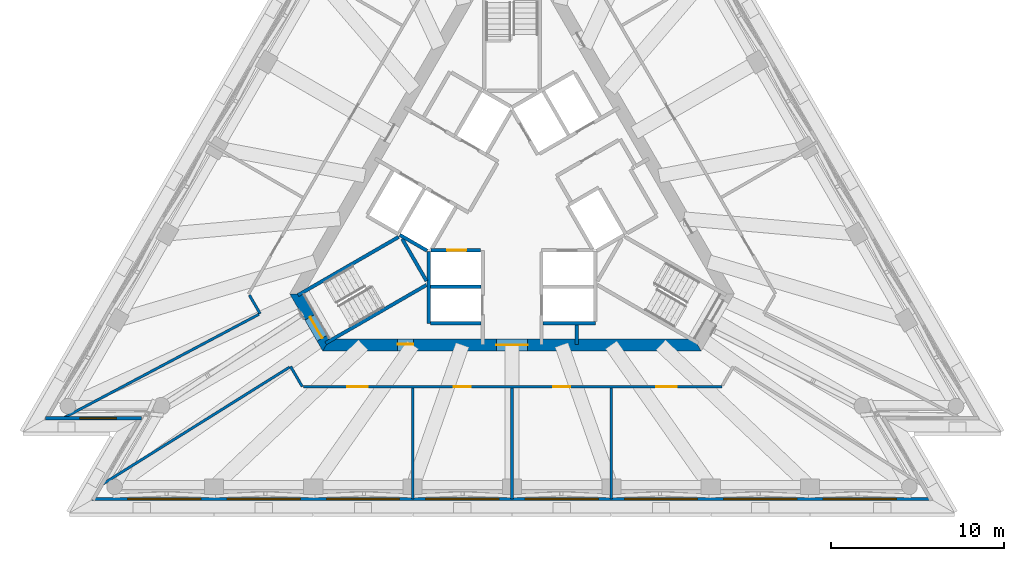
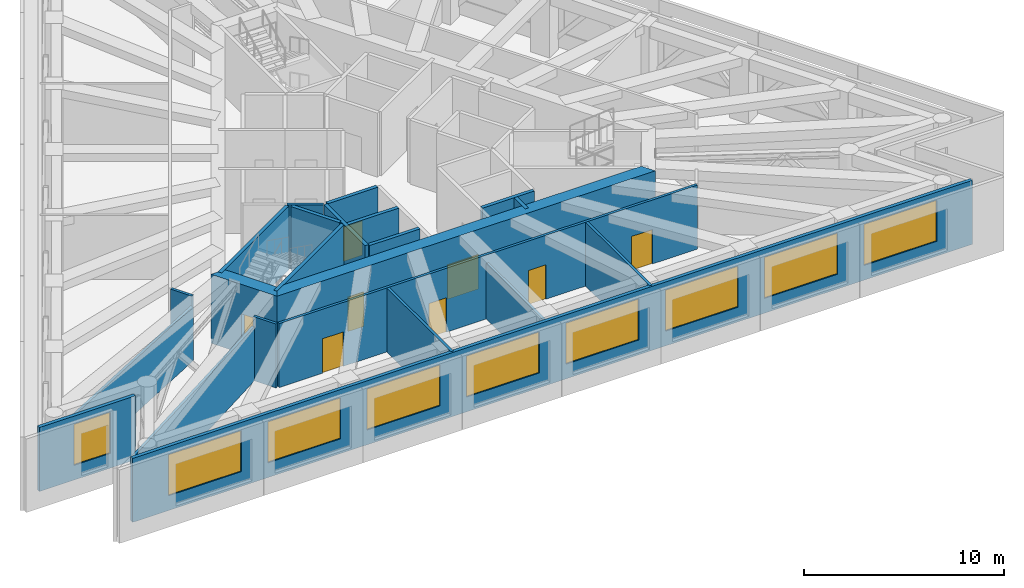
# One storey, part 6 of 12: 22 walls, 9 windows, 8 doors, 17 openings.
"""IFC4 building model written with IfcOpenShell, lengths in metres."""

from ifc_helpers import new_model, si_unit, direction, frame, frame_2d, origin, place, context, subcontext, project, spatial, polyline, rectangle, outline, extrude, material, layer, layer_set, layer_usage, type_object, element, fill, save


model = new_model("IFC4")

# Units and contexts
model_context = context("Model", 3, precision=1e-05, world=origin(), true_north=direction((0.0, 1.0)))
body_context = subcontext(model_context, "Body", "Model", "MODEL_VIEW")
ifc_project = project(units=[si_unit("LENGTHUNIT", "METRE"), si_unit("AREAUNIT", "SQUARE_METRE"), si_unit("VOLUMEUNIT", "CUBIC_METRE"), si_unit("PLANEANGLEUNIT", "RADIAN"), si_unit("MASSUNIT", "GRAM", prefix="KILO")], contexts=[model_context])

# Site, building, storey
site_placement = place(None, origin())
site = spatial("IfcSite", under=ifc_project, at=site_placement, CompositionType="ELEMENT")
building_placement = place(site_placement, origin())
building = spatial("IfcBuilding", under=site, at=building_placement, Name="Triada Interchange Tower", CompositionType="ELEMENT")
storey_placement = place(building_placement, frame((0.0, 0.0, 251.300048828125)))
storey = spatial("IfcBuildingStorey", under=building, at=storey_placement, Name="L59", CompositionType="ELEMENT", Elevation=251.300048828125)

# Walls
ifc_material_1 = material(Name="Concrete C30/37", Category="concrete")
ifc_layer_1 = layer(ifc_material_1, 0.199951171875)
ifc_layer_set_1 = layer_set([ifc_layer_1], Name="CORE WALL 200 EI 120")
wall_type_1 = type_object("IfcWallType", Name="CORE WALL 200 EI 120", PredefinedType="SOLIDWALL", material=ifc_layer_set_1)
wall_1_placement = place(storey_placement, frame((-4.699951171875, -4.800048828125, 0.0), z_axis=(0.0, 0.0, 1.0), x_axis=(1.0, 0.0, 0.0)))
element("IfcWall", 1, at=wall_1_placement, inside=storey, type_object=wall_type_1, Name="Wall L59 25", PredefinedType="SOLIDWALL", context=body_context, shape_type="SweptSolid", body=[
    extrude(rectangle(XDim=2.89990234375, YDim=0.199951171875, at=frame_2d((1.449951171875, 0.0))), origin(), (0.0, 0.0, 1.0), 3.89990234375),
])
wall_2_placement = place(storey_placement, frame((-4.800048828125, -6.89990234375, 0.0), z_axis=(0.0, 0.0, 1.0), x_axis=(0.0, 1.0, 0.0)))
element("IfcWall", 2, at=wall_2_placement, inside=storey, type_object=wall_type_1, Name="Wall L59 27", PredefinedType="SOLIDWALL", context=body_context, shape_type="SweptSolid", body=[
    extrude(rectangle(XDim=4.130859375, YDim=0.199951171875, at=frame_2d((2.0654296875, 0.0))), origin(), (0.0, 0.0, 1.0), 3.89990234375),
])
wall_3_placement = place(storey_placement, frame((-4.699951171875, -6.89990234375, 0.0), z_axis=(0.0, 0.0, 1.0), x_axis=(1.0, 0.0, 0.0)))
element("IfcWall", 3, at=wall_3_placement, inside=storey, type_object=wall_type_1, Name="Wall L59 28", PredefinedType="SOLIDWALL", context=body_context, shape_type="SweptSolid", body=[
    extrude(rectangle(XDim=2.89990234375, YDim=0.199951171875, at=frame_2d((1.449951171875, 0.0))), origin(), (0.0, 0.0, 1.0), 3.89990234375),
])
wall_4_placement = place(storey_placement, frame((1.800048828125, -6.89990234375, 0.0), z_axis=(0.0, 0.0, 1.0), x_axis=(1.0, 0.0, 0.0)))
element("IfcWall", 4, at=wall_4_placement, inside=storey, type_object=wall_type_1, Name="Wall L59 29", PredefinedType="SOLIDWALL", context=body_context, shape_type="SweptSolid", body=[
    extrude(rectangle(XDim=3.0, YDim=0.199951171875, at=frame_2d((1.5, 0.0))), origin(), (0.0, 0.0, 1.0), 3.89990234375),
])

# Wall, opening, door
wall_5_placement = place(storey_placement, frame((-4.676025390625, -2.699951171875, 0.0), z_axis=(0.0, 0.0, 1.0), x_axis=(1.0, 0.0, 0.0)))
wall_5 = element("IfcWall", 5, at=wall_5_placement, inside=storey, type_object=wall_type_1, Name="Wall L59 31", PredefinedType="SOLIDWALL", context=body_context, shape_type="SweptSolid", body=[
    extrude(rectangle(XDim=2.873046875, YDim=0.199951171875, at=frame_2d((1.4365234375, 0.0))), origin(), (0.0, 0.0, 1.0), 3.89990234375),
])
opening_1_placement = place(wall_5_placement, frame((0.93701171875, 0.0, 0.0)))
opening_1 = element("IfcOpeningElement", 6, at=opening_1_placement, cuts=wall_5, Name="Opening LD-HR3", PredefinedType="OPENING", context=body_context, shape_type="SweptSolid", body=[
    extrude(rectangle(XDim=1.10009765625, YDim=2.10009765625, at=frame_2d((0.550048828125, 1.050048828125))), frame((0.0, 0.10986328125, 0.0), z_axis=(0.0, -1.0, 0.0), x_axis=(1.0, 0.0, 0.0)), (0.0, 0.0, 1.0), 0.219970703125),
])
ifc_material_2 = material(Name="Steel S235 door leaf", Category="steel")
door_type_1 = type_object("IfcDoorType", Name="LIFT LANDING DOOR 1100 EI 120", OperationType="SLIDING_TO_LEFT", PredefinedType="DOOR", material=ifc_material_2)
door_1_placement = place(opening_1_placement, origin())
door_1 = element("IfcDoor", 7, at=door_1_placement, inside=storey, type_object=door_type_1, Name="HR3 landing door L59", OperationType="SLIDING_TO_LEFT", OverallHeight=2.10009765625, OverallWidth=1.10009765625, PredefinedType="DOOR", context=body_context, shape_type="SweptSolid", body=[
    extrude(rectangle(XDim=1.10009765625, YDim=2.10009765625, at=frame_2d((0.550048828125, 1.050048828125))), frame((0.0, 0.02490234375, 0.0), z_axis=(0.0, -1.0, 0.0), x_axis=(1.0, 0.0, 0.0)), (0.0, 0.0, 1.0), 0.050048828125),
])
fill(opening_1, door_1)

# Walls
ifc_layer_2 = layer(ifc_material_1, 0.199951171875)
ifc_layer_set_2 = layer_set([ifc_layer_2], Name="CORE WALL 200 EI 180")
wall_type_2 = type_object("IfcWallType", Name="CORE WALL 200 EI 180", PredefinedType="SOLIDWALL", material=ifc_layer_set_2)
wall_6_placement = place(storey_placement, frame((-6.469970703125, -1.806884765625, 0.0), z_axis=(0.0, 0.0, 1.0), x_axis=(0.865883195159, -0.500246231712, 0.0)))
element("IfcWall", 8, at=wall_6_placement, inside=storey, type_object=wall_type_2, Name="Shaft wall FF1 L59 56", PredefinedType="SOLIDWALL", context=body_context, shape_type="SweptSolid", body=[
    extrude(rectangle(XDim=1.8154296875, YDim=0.199951171875, at=frame_2d((0.90771484375, 0.0))), origin(), (0.0, 0.0, 1.0), 3.89990234375),
])
ifc_layer_3 = layer(ifc_material_1, 0.199951171875)
ifc_layer_set_3 = layer_set([ifc_layer_3], Name="CORE WALL 200 EI 90")
wall_type_3 = type_object("IfcWallType", Name="CORE WALL 200 EI 90", PredefinedType="SOLIDWALL", material=ifc_layer_set_3)
wall_7_placement = place(storey_placement, frame((3.72412109375, -8.1298828125, 0.0), z_axis=(0.0, 0.0, 1.0), x_axis=(0.0, 1.0, 0.0)))
element("IfcWall", 9, at=wall_7_placement, inside=storey, type_object=wall_type_3, Name="Wall L59 63", PredefinedType="SOLIDWALL", context=body_context, shape_type="SweptSolid", body=[
    extrude(rectangle(XDim=1.1298828125, YDim=0.199951171875, at=frame_2d((0.56494140625, 0.0))), origin(), (0.0, 0.0, 1.0), 3.89990234375),
])
ifc_layer_4 = layer(ifc_material_1, 0.199951171875)
ifc_layer_set_4 = layer_set([ifc_layer_4], Name="CORE WALL 200 REI 240")
wall_type_4 = type_object("IfcWallType", Name="CORE WALL 200 REI 240", PredefinedType="SOLIDWALL", material=ifc_layer_set_4)
wall_8_placement = place(storey_placement, frame((-12.343994140625, -5.279052734375, 0.0), z_axis=(0.0, 0.0, 1.0), x_axis=(0.866046323291, 0.499963764601, 0.0)))
element("IfcWall", 10, at=wall_8_placement, inside=storey, type_object=wall_type_4, Name="Wall L59 67", PredefinedType="SOLIDWALL", context=body_context, shape_type="SweptSolid", body=[
    extrude(rectangle(XDim=6.71435546875, YDim=0.199951171875, at=frame_2d((3.357177734375, 0.0))), origin(), (0.0, 0.0, 1.0), 3.89990234375),
])
wall_9_placement = place(storey_placement, frame((-6.3291015625, -2.0380859375, 0.0), z_axis=(0.0, 0.0, 1.0), x_axis=(0.500200581029, -0.865909567298, 0.0)))
element("IfcWall", 11, at=wall_9_placement, inside=storey, type_object=wall_type_4, Name="Wall L59 68", PredefinedType="SOLIDWALL", context=body_context, shape_type="SweptSolid", body=[
    extrude(rectangle(XDim=2.799072265625, YDim=0.199951171875, at=frame_2d((1.3994140625, 0.0))), origin(), (0.0, 0.0, 1.0), 3.89990234375),
])
wall_10_placement = place(storey_placement, frame((-10.743896484375, -8.051025390625, 0.0), z_axis=(0.0, 0.0, 1.0), x_axis=(0.865983344943, 0.500072840975, 0.0)))
element("IfcWall", 12, at=wall_10_placement, inside=storey, type_object=wall_type_4, Name="Wall L59 69", PredefinedType="SOLIDWALL", context=body_context, shape_type="SweptSolid", body=[
    extrude(rectangle(XDim=6.71484375, YDim=0.199951171875, at=frame_2d((3.357421875, 0.0))), origin(), (0.0, 0.0, 1.0), 3.89990234375),
])

# Wall, opening, door
ifc_material_3 = material(Name="Concrete C50/60", Category="concrete")
ifc_layer_5 = layer(ifc_material_3, 0.699951171875)
ifc_layer_set_5 = layer_set([ifc_layer_5], Name="Core wall C 700")
wall_type_5 = type_object("IfcWallType", Name="Core wall C 700", PredefinedType="SHEAR", material=ifc_layer_set_5)
wall_11_placement = place(storey_placement, frame((-12.4130859375, -5.199951171875, -0.300048828125), z_axis=(0.0, 0.0, 1.0), x_axis=(0.49999337185, -0.866029230515, 0.0)))
wall_11 = element("IfcWall", 13, at=wall_11_placement, inside=storey, type_object=wall_type_5, Name="Core wall WC03 L59", PredefinedType="SHEAR", context=body_context, shape_type="SweptSolid", body=[
    extrude(outline(polyline([(-0.201904296875, -0.35009765625), (1.703125, -0.35009765625), (3.60791015625, -0.35009765625), (3.2041015625, 0.35009765625), (1.703125, 0.35009765625), (0.201904296875, 0.35009765625), (-0.201904296875, -0.35009765625)])), origin(), (0.0, 0.0, 1.0), 4.199951171875),
])
opening_2_placement = place(wall_11_placement, frame((1.552978515625, 0.0, 0.300048828125)))
opening_2 = element("IfcOpeningElement", 14, at=opening_2_placement, cuts=wall_11, Name="Opening D59-23", PredefinedType="OPENING", context=body_context, shape_type="SweptSolid", body=[
    extrude(rectangle(XDim=1.39990234375, YDim=2.10009765625, at=frame_2d((0.699951171875, 1.050048828125))), frame((0.0, 0.360107421875, 0.0), z_axis=(0.0, -1.0, 0.0), x_axis=(1.0, 0.0, 0.0)), (0.0, 0.0, 1.0), 0.72021484375),
])
door_type_2 = type_object("IfcDoorType", Name="STAIR DOOR 1400 EI2 90-C5S200", OperationType="DOUBLE_DOOR_SINGLE_SWING", PredefinedType="DOOR", material=ifc_material_2)
door_2_placement = place(opening_2_placement, origin())
door_2 = element("IfcDoor", 15, at=door_2_placement, inside=storey, type_object=door_type_2, Name="Door D59-23 L59", OperationType="DOUBLE_DOOR_SINGLE_SWING", OverallHeight=2.10009765625, OverallWidth=1.39990234375, PredefinedType="DOOR", context=body_context, shape_type="SweptSolid", body=[
    extrude(rectangle(XDim=1.39990234375, YDim=2.10009765625, at=frame_2d((0.699951171875, 1.050048828125))), frame((0.0, 0.02490234375, 0.0), z_axis=(0.0, -1.0, 0.0), x_axis=(1.0, 0.0, 0.0)), (0.0, 0.0, 1.0), 0.050048828125),
])
fill(opening_2, door_2)

# Wall, openings, doors
wall_12_placement = place(storey_placement, frame((-10.7099609375, -8.14990234375, -0.300048828125), z_axis=(0.0, 0.0, 1.0), x_axis=(1.0, 0.0, 0.0)))
wall_12 = element("IfcWall", 16, at=wall_12_placement, inside=storey, type_object=wall_type_5, Name="Core wall WC04 L59", PredefinedType="SHEAR", context=body_context, shape_type="SweptSolid", body=[
    extrude(outline(polyline([(-0.201904296875, -0.35009765625), (1.781982421875, -0.35009765625), (3.76611328125, -0.35009765625), (5.75, -0.35009765625), (7.734130859375, -0.35009765625), (9.718017578125, -0.35009765625), (11.7021484375, -0.35009765625), (13.68603515625, -0.35009765625), (15.670166015625, -0.35009765625), (17.654052734375, -0.35009765625), (19.63818359375, -0.35009765625), (21.6220703125, -0.35009765625), (21.218017578125, 0.35009765625), (19.307373046875, 0.35009765625), (17.39697265625, 0.35009765625), (15.486328125, 0.35009765625), (13.57568359375, 0.35009765625), (11.665283203125, 0.35009765625), (9.754638671875, 0.35009765625), (7.84423828125, 0.35009765625), (5.93359375, 0.35009765625), (4.02294921875, 0.35009765625), (2.112548828125, 0.35009765625), (0.201904296875, 0.35009765625), (-0.201904296875, -0.35009765625)])), origin(), (0.0, 0.0, 1.0), 4.199951171875),
])
opening_3_placement = place(wall_12_placement, frame((9.81005859375, 0.0, 0.300048828125)))
opening_3 = element("IfcOpeningElement", 17, at=opening_3_placement, cuts=wall_12, Name="Opening D59-21", PredefinedType="OPENING", context=body_context, shape_type="SweptSolid", body=[
    extrude(rectangle(XDim=1.800048828125, YDim=2.10009765625, at=frame_2d((0.89990234375, 1.050048828125))), frame((0.0, 0.360107421875, 0.0), z_axis=(0.0, -1.0, 0.0), x_axis=(1.0, 0.0, 0.0)), (0.0, 0.0, 1.0), 0.72021484375),
])
opening_4_placement = place(wall_12_placement, frame((4.1201171875, 0.0, 0.300048828125)))
opening_4 = element("IfcOpeningElement", 18, at=opening_4_placement, cuts=wall_12, Name="Opening D59-26", PredefinedType="OPENING", context=body_context, shape_type="SweptSolid", body=[
    extrude(rectangle(XDim=0.89990234375, YDim=2.10009765625, at=frame_2d((0.449951171875, 1.050048828125))), frame((0.0, 0.360107421875, 0.0), z_axis=(0.0, -1.0, 0.0), x_axis=(1.0, 0.0, 0.0)), (0.0, 0.0, 1.0), 0.72021484375),
])
door_type_3 = type_object("IfcDoorType", Name="LOBBY DOOR 1800 EI2 90-C5S200", OperationType="DOUBLE_DOOR_SINGLE_SWING", PredefinedType="DOOR", material=ifc_material_2)
door_3_placement = place(opening_3_placement, origin())
door_3 = element("IfcDoor", 19, at=door_3_placement, inside=storey, type_object=door_type_3, Name="Door D59-21 L59", OperationType="DOUBLE_DOOR_SINGLE_SWING", OverallHeight=2.10009765625, OverallWidth=1.800048828125, PredefinedType="DOOR", context=body_context, shape_type="SweptSolid", body=[
    extrude(rectangle(XDim=1.800048828125, YDim=2.10009765625, at=frame_2d((0.89990234375, 1.050048828125))), frame((0.0, 0.02490234375, 0.0), z_axis=(0.0, -1.0, 0.0), x_axis=(1.0, 0.0, 0.0)), (0.0, 0.0, 1.0), 0.050048828125),
])
fill(opening_3, door_3)
door_type_4 = type_object("IfcDoorType", Name="SERVICE DOOR 900 EI2 45-C5S200", OperationType="NOTDEFINED", PredefinedType="DOOR", material=ifc_material_2)
door_4_placement = place(opening_4_placement, origin())
door_4 = element("IfcDoor", 20, at=door_4_placement, inside=storey, type_object=door_type_4, Name="Door D59-26 L59", OperationType="SINGLE_SWING_RIGHT", OverallHeight=2.10009765625, OverallWidth=0.89990234375, PredefinedType="DOOR", context=body_context, shape_type="SweptSolid", body=[
    extrude(rectangle(XDim=0.89990234375, YDim=2.10009765625, at=frame_2d((0.449951171875, 1.050048828125))), frame((0.0, 0.0751953125, 0.0), z_axis=(0.0, -1.0, 0.0), x_axis=(1.0, 0.0, 0.0)), (0.0, 0.0, 1.0), 0.050048828125),
])
fill(opening_4, door_4)

# Wall, opening, window
ifc_material_4 = material(Name="Cement board")
ifc_layer_6 = layer(ifc_material_4, 0.02001953125, Name="Cement board cladding")
ifc_material_5 = material(Name="Sheathing board")
ifc_layer_7 = layer(ifc_material_5, 0.014892578125, Name="Sheathing board")
ifc_material_6 = material(Name="Mineral wool")
ifc_layer_8 = layer(ifc_material_6, 0.14990234375, Name="Mineral wool between steel studs")
ifc_material_7 = material(Name="Gypsum board")
ifc_layer_9 = layer(ifc_material_7, 0.014892578125, Name="Plasterboard lining")
ifc_layer_set_6 = layer_set([ifc_layer_6, ifc_layer_7, ifc_layer_8, ifc_layer_9], Name="External wall 200")
ifc_layer_usage = layer_usage(ifc_layer_set_6, "AXIS2", "POSITIVE", -0.10009765625)
wall_type_6 = type_object("IfcWallType", Name="External wall 200", PredefinedType="ELEMENTEDWALL", material=ifc_layer_set_6)
wall_13_placement = place(storey_placement, frame((-26.904052734375, -12.37890625, 0.0), z_axis=(0.0, 0.0, 1.0), x_axis=(1.0, 0.0, 0.0)))
wall_13 = element("IfcWall", 21, at=wall_13_placement, inside=storey, type_object=wall_type_6, material=ifc_layer_usage, Name="External wall L59 SW-1", PredefinedType="ELEMENTEDWALL", context=body_context, shape_type="SweptSolid", body=[
    extrude(rectangle(XDim=5.531982421875, YDim=0.199951171875, at=frame_2d((2.76611328125, 0.0))), origin(), (0.0, 0.0, 1.0), 3.89990234375),
])
opening_5_placement = place(wall_13_placement, frame((1.989990234375, 0.0, 0.89990234375)))
opening_5 = element("IfcOpeningElement", 22, at=opening_5_placement, cuts=wall_13, Name="Opening WC09", PredefinedType="OPENING", context=body_context, shape_type="SweptSolid", body=[
    extrude(rectangle(XDim=2.10009765625, YDim=2.5, at=frame_2d((1.050048828125, 1.25))), frame((0.0, 0.10986328125, 0.0), z_axis=(0.0, -1.0, 0.0), x_axis=(1.0, 0.0, 0.0)), (0.0, 0.0, 1.0), 0.219970703125),
])
ifc_material_8 = material(Name="Double glazed aluminium window", Category="aluminium")
window_type_1 = type_object("IfcWindowType", Name="Ribbon window C pocket", PartitioningType="SINGLE_PANEL", PredefinedType="WINDOW", material=ifc_material_8)
window_1_placement = place(opening_5_placement, origin())
window_1 = element("IfcWindow", 23, at=window_1_placement, inside=storey, type_object=window_type_1, Name="Window L59 SW-1 1", OverallHeight=2.5, OverallWidth=2.10009765625, PartitioningType="SINGLE_PANEL", PredefinedType="WINDOW", context=body_context, shape_type="SweptSolid", body=[
    extrude(rectangle(XDim=2.10009765625, YDim=2.5, at=frame_2d((1.050048828125, 1.25))), frame((0.0, 0.030029296875, 0.0), z_axis=(0.0, -1.0, 0.0), x_axis=(1.0, 0.0, 0.0)), (0.0, 0.0, 1.0), 0.06005859375),
])
fill(opening_5, window_1)

# Wall, openings, windows
wall_14_placement = place(storey_placement, frame((-24.218017578125, -17.031982421875, 0.0), z_axis=(0.0, 0.0, 1.0), x_axis=(1.0, 0.0, 0.0)))
wall_14 = element("IfcWall", 24, at=wall_14_placement, inside=storey, type_object=wall_type_6, material=ifc_layer_usage, Name="External wall L59 S", PredefinedType="ELEMENTEDWALL", context=body_context, shape_type="SweptSolid", body=[
    extrude(rectangle(XDim=48.416015625, YDim=0.199951171875, at=frame_2d((24.2080078125, 0.0))), origin(), (0.0, 0.0, 1.0), 3.89990234375),
])
opening_6_placement = place(wall_14_placement, frame((2.06689453125, 0.0, 0.89990234375)))
opening_6 = element("IfcOpeningElement", 25, at=opening_6_placement, cuts=wall_14, Name="Opening WC11", PredefinedType="OPENING", context=body_context, shape_type="SweptSolid", body=[
    extrude(rectangle(XDim=4.199951171875, YDim=2.5, at=frame_2d((2.10009765625, 1.25))), frame((0.0, 0.10986328125, 0.0), z_axis=(0.0, -1.0, 0.0), x_axis=(1.0, 0.0, 0.0)), (0.0, 0.0, 1.0), 0.219970703125),
])
opening_7_placement = place(wall_14_placement, frame((7.7958984375, 0.0, 0.89990234375)))
opening_7 = element("IfcOpeningElement", 26, at=opening_7_placement, cuts=wall_14, Name="Opening WC12", PredefinedType="OPENING", context=body_context, shape_type="SweptSolid", body=[
    extrude(rectangle(XDim=4.199951171875, YDim=2.5, at=frame_2d((2.10009765625, 1.25))), frame((0.0, 0.10986328125, 0.0), z_axis=(0.0, -1.0, 0.0), x_axis=(1.0, 0.0, 0.0)), (0.0, 0.0, 1.0), 0.219970703125),
])
opening_8_placement = place(wall_14_placement, frame((13.52490234375, 0.0, 0.89990234375)))
opening_8 = element("IfcOpeningElement", 27, at=opening_8_placement, cuts=wall_14, Name="Opening WC13", PredefinedType="OPENING", context=body_context, shape_type="SweptSolid", body=[
    extrude(rectangle(XDim=4.199951171875, YDim=2.5, at=frame_2d((2.10009765625, 1.25))), frame((0.0, 0.10986328125, 0.0), z_axis=(0.0, -1.0, 0.0), x_axis=(1.0, 0.0, 0.0)), (0.0, 0.0, 1.0), 0.219970703125),
])
opening_9_placement = place(wall_14_placement, frame((19.25390625, 0.0, 0.89990234375)))
opening_9 = element("IfcOpeningElement", 28, at=opening_9_placement, cuts=wall_14, Name="Opening WC14", PredefinedType="OPENING", context=body_context, shape_type="SweptSolid", body=[
    extrude(rectangle(XDim=4.199951171875, YDim=2.5, at=frame_2d((2.10009765625, 1.25))), frame((0.0, 0.10986328125, 0.0), z_axis=(0.0, -1.0, 0.0), x_axis=(1.0, 0.0, 0.0)), (0.0, 0.0, 1.0), 0.219970703125),
])
opening_10_placement = place(wall_14_placement, frame((24.98193359375, 0.0, 0.89990234375)))
opening_10 = element("IfcOpeningElement", 29, at=opening_10_placement, cuts=wall_14, Name="Opening WC15", PredefinedType="OPENING", context=body_context, shape_type="SweptSolid", body=[
    extrude(rectangle(XDim=4.199951171875, YDim=2.5, at=frame_2d((2.10009765625, 1.25))), frame((0.0, 0.10986328125, 0.0), z_axis=(0.0, -1.0, 0.0), x_axis=(1.0, 0.0, 0.0)), (0.0, 0.0, 1.0), 0.219970703125),
])
opening_11_placement = place(wall_14_placement, frame((30.7109375, 0.0, 0.89990234375)))
opening_11 = element("IfcOpeningElement", 30, at=opening_11_placement, cuts=wall_14, Name="Opening WC16", PredefinedType="OPENING", context=body_context, shape_type="SweptSolid", body=[
    extrude(rectangle(XDim=4.199951171875, YDim=2.5, at=frame_2d((2.10009765625, 1.25))), frame((0.0, 0.10986328125, 0.0), z_axis=(0.0, -1.0, 0.0), x_axis=(1.0, 0.0, 0.0)), (0.0, 0.0, 1.0), 0.219970703125),
])
opening_12_placement = place(wall_14_placement, frame((36.43994140625, 0.0, 0.89990234375)))
opening_12 = element("IfcOpeningElement", 31, at=opening_12_placement, cuts=wall_14, Name="Opening WC17", PredefinedType="OPENING", context=body_context, shape_type="SweptSolid", body=[
    extrude(rectangle(XDim=4.199951171875, YDim=2.5, at=frame_2d((2.10009765625, 1.25))), frame((0.0, 0.10986328125, 0.0), z_axis=(0.0, -1.0, 0.0), x_axis=(1.0, 0.0, 0.0)), (0.0, 0.0, 1.0), 0.219970703125),
])
opening_13_placement = place(wall_14_placement, frame((42.1689453125, 0.0, 0.89990234375)))
opening_13 = element("IfcOpeningElement", 32, at=opening_13_placement, cuts=wall_14, Name="Opening WC18", PredefinedType="OPENING", context=body_context, shape_type="SweptSolid", body=[
    extrude(rectangle(XDim=4.199951171875, YDim=2.5, at=frame_2d((2.10009765625, 1.25))), frame((0.0, 0.10986328125, 0.0), z_axis=(0.0, -1.0, 0.0), x_axis=(1.0, 0.0, 0.0)), (0.0, 0.0, 1.0), 0.219970703125),
])
window_type_2 = type_object("IfcWindowType", Name="Ribbon window C face", PartitioningType="SINGLE_PANEL", PredefinedType="WINDOW", material=ifc_material_8)
window_2_placement = place(opening_6_placement, origin())
window_2 = element("IfcWindow", 33, at=window_2_placement, inside=storey, type_object=window_type_2, Name="Window L59 S 1", OverallHeight=2.5, OverallWidth=4.199951171875, PartitioningType="SINGLE_PANEL", PredefinedType="WINDOW", context=body_context, shape_type="SweptSolid", body=[
    extrude(rectangle(XDim=4.199951171875, YDim=2.5, at=frame_2d((2.10009765625, 1.25))), frame((0.0, 0.030029296875, 0.0), z_axis=(0.0, -1.0, 0.0), x_axis=(1.0, 0.0, 0.0)), (0.0, 0.0, 1.0), 0.06005859375),
])
fill(opening_6, window_2)
window_3_placement = place(opening_7_placement, origin())
window_3 = element("IfcWindow", 34, at=window_3_placement, inside=storey, type_object=window_type_2, Name="Window L59 S 2", OverallHeight=2.5, OverallWidth=4.199951171875, PartitioningType="SINGLE_PANEL", PredefinedType="WINDOW", context=body_context, shape_type="SweptSolid", body=[
    extrude(rectangle(XDim=4.199951171875, YDim=2.5, at=frame_2d((2.10009765625, 1.25))), frame((0.0, 0.030029296875, 0.0), z_axis=(0.0, -1.0, 0.0), x_axis=(1.0, 0.0, 0.0)), (0.0, 0.0, 1.0), 0.06005859375),
])
fill(opening_7, window_3)
window_4_placement = place(opening_8_placement, origin())
window_4 = element("IfcWindow", 35, at=window_4_placement, inside=storey, type_object=window_type_2, Name="Window L59 S 3", OverallHeight=2.5, OverallWidth=4.199951171875, PartitioningType="SINGLE_PANEL", PredefinedType="WINDOW", context=body_context, shape_type="SweptSolid", body=[
    extrude(rectangle(XDim=4.199951171875, YDim=2.5, at=frame_2d((2.10009765625, 1.25))), frame((0.0, 0.030029296875, 0.0), z_axis=(0.0, -1.0, 0.0), x_axis=(1.0, 0.0, 0.0)), (0.0, 0.0, 1.0), 0.06005859375),
])
fill(opening_8, window_4)
window_5_placement = place(opening_9_placement, origin())
window_5 = element("IfcWindow", 36, at=window_5_placement, inside=storey, type_object=window_type_2, Name="Window L59 S 4", OverallHeight=2.5, OverallWidth=4.199951171875, PartitioningType="SINGLE_PANEL", PredefinedType="WINDOW", context=body_context, shape_type="SweptSolid", body=[
    extrude(rectangle(XDim=4.199951171875, YDim=2.5, at=frame_2d((2.10009765625, 1.25))), frame((0.0, 0.030029296875, 0.0), z_axis=(0.0, -1.0, 0.0), x_axis=(1.0, 0.0, 0.0)), (0.0, 0.0, 1.0), 0.06005859375),
])
fill(opening_9, window_5)
window_6_placement = place(opening_10_placement, origin())
window_6 = element("IfcWindow", 37, at=window_6_placement, inside=storey, type_object=window_type_2, Name="Window L59 S 5", OverallHeight=2.5, OverallWidth=4.199951171875, PartitioningType="SINGLE_PANEL", PredefinedType="WINDOW", context=body_context, shape_type="SweptSolid", body=[
    extrude(rectangle(XDim=4.199951171875, YDim=2.5, at=frame_2d((2.10009765625, 1.25))), frame((0.0, 0.030029296875, 0.0), z_axis=(0.0, -1.0, 0.0), x_axis=(1.0, 0.0, 0.0)), (0.0, 0.0, 1.0), 0.06005859375),
])
fill(opening_10, window_6)
window_7_placement = place(opening_11_placement, origin())
window_7 = element("IfcWindow", 38, at=window_7_placement, inside=storey, type_object=window_type_2, Name="Window L59 S 6", OverallHeight=2.5, OverallWidth=4.199951171875, PartitioningType="SINGLE_PANEL", PredefinedType="WINDOW", context=body_context, shape_type="SweptSolid", body=[
    extrude(rectangle(XDim=4.199951171875, YDim=2.5, at=frame_2d((2.10009765625, 1.25))), frame((0.0, 0.030029296875, 0.0), z_axis=(0.0, -1.0, 0.0), x_axis=(1.0, 0.0, 0.0)), (0.0, 0.0, 1.0), 0.06005859375),
])
fill(opening_11, window_7)
window_8_placement = place(opening_12_placement, origin())
window_8 = element("IfcWindow", 39, at=window_8_placement, inside=storey, type_object=window_type_2, Name="Window L59 S 7", OverallHeight=2.5, OverallWidth=4.199951171875, PartitioningType="SINGLE_PANEL", PredefinedType="WINDOW", context=body_context, shape_type="SweptSolid", body=[
    extrude(rectangle(XDim=4.199951171875, YDim=2.5, at=frame_2d((2.10009765625, 1.25))), frame((0.0, 0.030029296875, 0.0), z_axis=(0.0, -1.0, 0.0), x_axis=(1.0, 0.0, 0.0)), (0.0, 0.0, 1.0), 0.06005859375),
])
fill(opening_12, window_8)
window_9_placement = place(opening_13_placement, origin())
window_9 = element("IfcWindow", 40, at=window_9_placement, inside=storey, type_object=window_type_2, Name="Window L59 S 8", OverallHeight=2.5, OverallWidth=4.199951171875, PartitioningType="SINGLE_PANEL", PredefinedType="WINDOW", context=body_context, shape_type="SweptSolid", body=[
    extrude(rectangle(XDim=4.199951171875, YDim=2.5, at=frame_2d((2.10009765625, 1.25))), frame((0.0, 0.030029296875, 0.0), z_axis=(0.0, -1.0, 0.0), x_axis=(1.0, 0.0, 0.0)), (0.0, 0.0, 1.0), 0.06005859375),
])
fill(opening_13, window_9)

# Walls
ifc_material_9 = material(Name="Gypsum board partition")
ifc_layer_10 = layer(ifc_material_9, 0.14990234375)
ifc_layer_set_7 = layer_set([ifc_layer_10], Name="PARTITION 150 EI 180")
wall_type_7 = type_object("IfcWallType", Name="PARTITION 150 EI 180", PredefinedType="PARTITIONING", material=ifc_layer_set_7)
wall_15_placement = place(storey_placement, frame((-15.14111328125, -5.27490234375, 0.0), z_axis=(0.0, 0.0, 1.0), x_axis=(0.499785009086, -0.86614949327, 0.0)))
element("IfcWall", 41, at=wall_15_placement, inside=storey, type_object=wall_type_7, Name="Wall L59 2", PredefinedType="PARTITIONING", context=body_context, shape_type="SweptSolid", body=[
    extrude(rectangle(XDim=1.23876953125, YDim=0.14990234375, at=frame_2d((0.619384765625, 0.0))), origin(), (0.0, 0.0, 1.0), 3.89990234375),
])
wall_16_placement = place(storey_placement, frame((-12.762939453125, -9.39404296875, 0.0), z_axis=(0.0, 0.0, 1.0), x_axis=(0.500308063137, -0.865847470378, 0.0)))
element("IfcWall", 42, at=wall_16_placement, inside=storey, type_object=wall_type_7, Name="Wall L59 3", PredefinedType="PARTITIONING", context=body_context, shape_type="SweptSolid", body=[
    extrude(rectangle(XDim=1.335205078125, YDim=0.14990234375, at=frame_2d((0.66748046875, 0.0))), origin(), (0.0, 0.0, 1.0), 3.89990234375),
])
wall_17_placement = place(storey_placement, frame((-25.888916015625, -12.37890625, 0.0), z_axis=(0.0, 0.0, 1.0), x_axis=(0.88336885413, 0.468678426593, 0.0)))
element("IfcWall", 43, at=wall_17_placement, inside=storey, type_object=wall_type_7, Name="Wall L59 4", PredefinedType="PARTITIONING", context=body_context, shape_type="SweptSolid", body=[
    extrude(rectangle(XDim=12.793212890625, YDim=0.14990234375, at=frame_2d((6.396484375, 0.0))), origin(), (0.0, 0.0, 1.0), 3.300048828125),
])
wall_18_placement = place(storey_placement, frame((-23.64697265625, -16.198974609375, 0.0), z_axis=(0.0, 0.0, 1.0), x_axis=(0.847937036603, 0.530096955243, 0.0)))
element("IfcWall", 44, at=wall_18_placement, inside=storey, type_object=wall_type_7, Name="Wall L59 5", PredefinedType="PARTITIONING", context=body_context, shape_type="SweptSolid", body=[
    extrude(rectangle(XDim=12.76171875, YDim=0.14990234375, at=frame_2d((6.380859375, 0.0))), origin(), (0.0, 0.0, 1.0), 3.300048828125),
])

# Wall, openings, doors
wall_19_placement = place(storey_placement, frame((-12.009033203125, -10.550048828125, 0.0), z_axis=(0.0, 0.0, 1.0), x_axis=(1.0, 0.0, 0.0)))
wall_19 = element("IfcWall", 45, at=wall_19_placement, inside=storey, type_object=wall_type_7, Name="Wall L59 6", PredefinedType="PARTITIONING", context=body_context, shape_type="SweptSolid", body=[
    extrude(rectangle(XDim=24.10400390625, YDim=0.14990234375, at=frame_2d((12.052001953125, 0.0))), origin(), (0.0, 0.0, 1.0), 3.89990234375),
])
opening_14_placement = place(wall_19_placement, frame((2.4970703125, 0.0, 0.0)))
opening_14 = element("IfcOpeningElement", 46, at=opening_14_placement, cuts=wall_19, Name="Opening D59-14", PredefinedType="OPENING", context=body_context, shape_type="SweptSolid", body=[
    extrude(rectangle(XDim=1.199951171875, YDim=2.10009765625, at=frame_2d((0.60009765625, 1.050048828125))), frame((0.0, 0.0849609375, 0.0), z_axis=(0.0, -1.0, 0.0), x_axis=(1.0, 0.0, 0.0)), (0.0, 0.0, 1.0), 0.169921875),
])
opening_15_placement = place(wall_19_placement, frame((8.64404296875, 0.0, 0.0)))
opening_15 = element("IfcOpeningElement", 47, at=opening_15_placement, cuts=wall_19, Name="Opening D59-15", PredefinedType="OPENING", context=body_context, shape_type="SweptSolid", body=[
    extrude(rectangle(XDim=1.0, YDim=2.10009765625, at=frame_2d((0.5, 1.050048828125))), frame((0.0, 0.0849609375, 0.0), z_axis=(0.0, -1.0, 0.0), x_axis=(1.0, 0.0, 0.0)), (0.0, 0.0, 1.0), 0.169921875),
])
opening_16_placement = place(wall_19_placement, frame((14.373046875, 0.0, 0.0)))
opening_16 = element("IfcOpeningElement", 48, at=opening_16_placement, cuts=wall_19, Name="Opening D59-16", PredefinedType="OPENING", context=body_context, shape_type="SweptSolid", body=[
    extrude(rectangle(XDim=1.0, YDim=2.10009765625, at=frame_2d((0.5, 1.050048828125))), frame((0.0, 0.0849609375, 0.0), z_axis=(0.0, -1.0, 0.0), x_axis=(1.0, 0.0, 0.0)), (0.0, 0.0, 1.0), 0.169921875),
])
opening_17_placement = place(wall_19_placement, frame((20.321044921875, 0.0, 0.0)))
opening_17 = element("IfcOpeningElement", 49, at=opening_17_placement, cuts=wall_19, Name="Opening D59-17", PredefinedType="OPENING", context=body_context, shape_type="SweptSolid", body=[
    extrude(rectangle(XDim=1.199951171875, YDim=2.10009765625, at=frame_2d((0.60009765625, 1.050048828125))), frame((0.0, 0.0849609375, 0.0), z_axis=(0.0, -1.0, 0.0), x_axis=(1.0, 0.0, 0.0)), (0.0, 0.0, 1.0), 0.169921875),
])
door_type_5 = type_object("IfcDoorType", Name="DOUBLE ROOM DOOR 1200 EI2 45-C5S200", OperationType="DOUBLE_DOOR_SINGLE_SWING", PredefinedType="DOOR", material=ifc_material_2)
door_5_placement = place(opening_17_placement, origin())
door_5 = element("IfcDoor", 50, at=door_5_placement, inside=storey, type_object=door_type_5, Name="Door D59-17 L59", OperationType="DOUBLE_DOOR_SINGLE_SWING", OverallHeight=2.10009765625, OverallWidth=1.199951171875, PredefinedType="DOOR", context=body_context, shape_type="SweptSolid", body=[
    extrude(rectangle(XDim=1.199951171875, YDim=2.10009765625, at=frame_2d((0.60009765625, 1.050048828125))), frame((0.0, 0.02490234375, 0.0), z_axis=(0.0, -1.0, 0.0), x_axis=(1.0, 0.0, 0.0)), (0.0, 0.0, 1.0), 0.050048828125),
])
fill(opening_17, door_5)
door_type_6 = type_object("IfcDoorType", Name="DOUBLE ROOM DOOR 1200 EI2 90-C5S200", OperationType="DOUBLE_DOOR_SINGLE_SWING", PredefinedType="DOOR", material=ifc_material_2)
door_6_placement = place(opening_14_placement, origin())
door_6 = element("IfcDoor", 51, at=door_6_placement, inside=storey, type_object=door_type_6, Name="Door D59-14 L59", OperationType="DOUBLE_DOOR_SINGLE_SWING", OverallHeight=2.10009765625, OverallWidth=1.199951171875, PredefinedType="DOOR", context=body_context, shape_type="SweptSolid", body=[
    extrude(rectangle(XDim=1.199951171875, YDim=2.10009765625, at=frame_2d((0.60009765625, 1.050048828125))), frame((0.0, 0.02490234375, 0.0), z_axis=(0.0, -1.0, 0.0), x_axis=(1.0, 0.0, 0.0)), (0.0, 0.0, 1.0), 0.050048828125),
])
fill(opening_14, door_6)
door_type_7 = type_object("IfcDoorType", Name="ROOM DOOR 1000 EI2 45-C5S200", OperationType="NOTDEFINED", PredefinedType="DOOR", material=ifc_material_2)
door_7_placement = place(opening_15_placement, origin())
door_7 = element("IfcDoor", 52, at=door_7_placement, inside=storey, type_object=door_type_7, Name="Door D59-15 L59", OperationType="SINGLE_SWING_LEFT", OverallHeight=2.10009765625, OverallWidth=1.0, PredefinedType="DOOR", context=body_context, shape_type="SweptSolid", body=[
    extrude(rectangle(XDim=1.0, YDim=2.10009765625, at=frame_2d((0.5, 1.050048828125))), frame((0.0, 0.02490234375, 0.0), z_axis=(0.0, -1.0, 0.0), x_axis=(1.0, 0.0, 0.0)), (0.0, 0.0, 1.0), 0.050048828125),
])
fill(opening_15, door_7)
door_8_placement = place(opening_16_placement, origin())
door_8 = element("IfcDoor", 53, at=door_8_placement, inside=storey, type_object=door_type_7, Name="Door D59-16 L59", OperationType="SINGLE_SWING_LEFT", OverallHeight=2.10009765625, OverallWidth=1.0, PredefinedType="DOOR", context=body_context, shape_type="SweptSolid", body=[
    extrude(rectangle(XDim=1.0, YDim=2.10009765625, at=frame_2d((0.5, 1.050048828125))), frame((0.0, 0.02490234375, 0.0), z_axis=(0.0, -1.0, 0.0), x_axis=(1.0, 0.0, 0.0)), (0.0, 0.0, 1.0), 0.050048828125),
])
fill(opening_16, door_8)

# Walls
wall_20_placement = place(storey_placement, frame((-5.72900390625, -17.031982421875, 0.0), z_axis=(0.0, 0.0, 1.0), x_axis=(0.0, 1.0, 0.0)))
element("IfcWall", 54, at=wall_20_placement, inside=storey, type_object=wall_type_7, Name="Wall L59 12", PredefinedType="PARTITIONING", context=body_context, shape_type="SweptSolid", body=[
    extrude(rectangle(XDim=6.406982421875, YDim=0.14990234375, at=frame_2d((3.20361328125, 0.0))), origin(), (0.0, 0.0, 1.0), 3.89990234375),
])
wall_21_placement = place(storey_placement, frame((0.0, -17.031982421875, 0.0), z_axis=(0.0, 0.0, 1.0), x_axis=(0.0, 1.0, 0.0)))
element("IfcWall", 55, at=wall_21_placement, inside=storey, type_object=wall_type_7, Name="Wall L59 13", PredefinedType="PARTITIONING", context=body_context, shape_type="SweptSolid", body=[
    extrude(rectangle(XDim=6.406982421875, YDim=0.14990234375, at=frame_2d((3.20361328125, 0.0))), origin(), (0.0, 0.0, 1.0), 3.39990234375),
])
wall_22_placement = place(storey_placement, frame((5.72900390625, -17.031982421875, 0.0), z_axis=(0.0, 0.0, 1.0), x_axis=(0.0, 1.0, 0.0)))
element("IfcWall", 56, at=wall_22_placement, inside=storey, type_object=wall_type_7, Name="Wall L59 16", PredefinedType="PARTITIONING", context=body_context, shape_type="SweptSolid", body=[
    extrude(rectangle(XDim=6.406982421875, YDim=0.14990234375, at=frame_2d((3.20361328125, 0.0))), origin(), (0.0, 0.0, 1.0), 3.89990234375),
])

save(model, "model.ifc")
